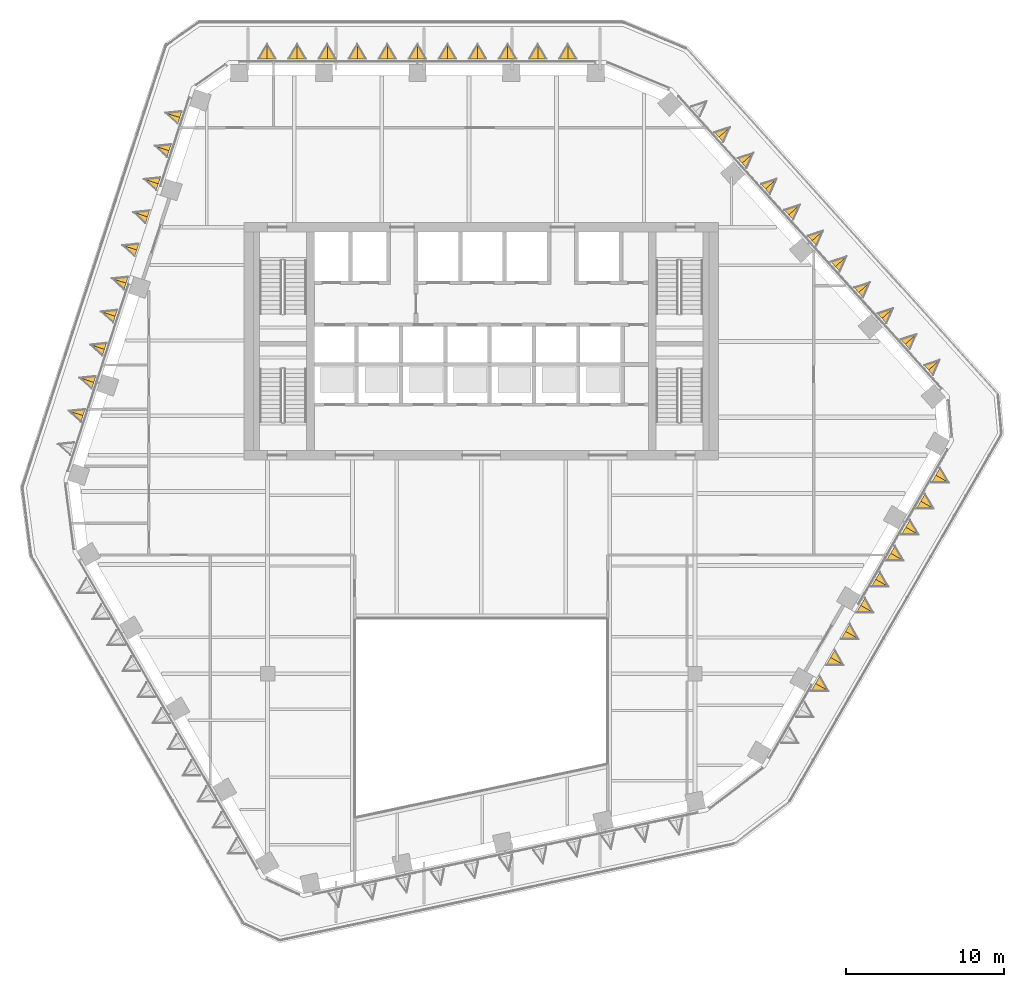
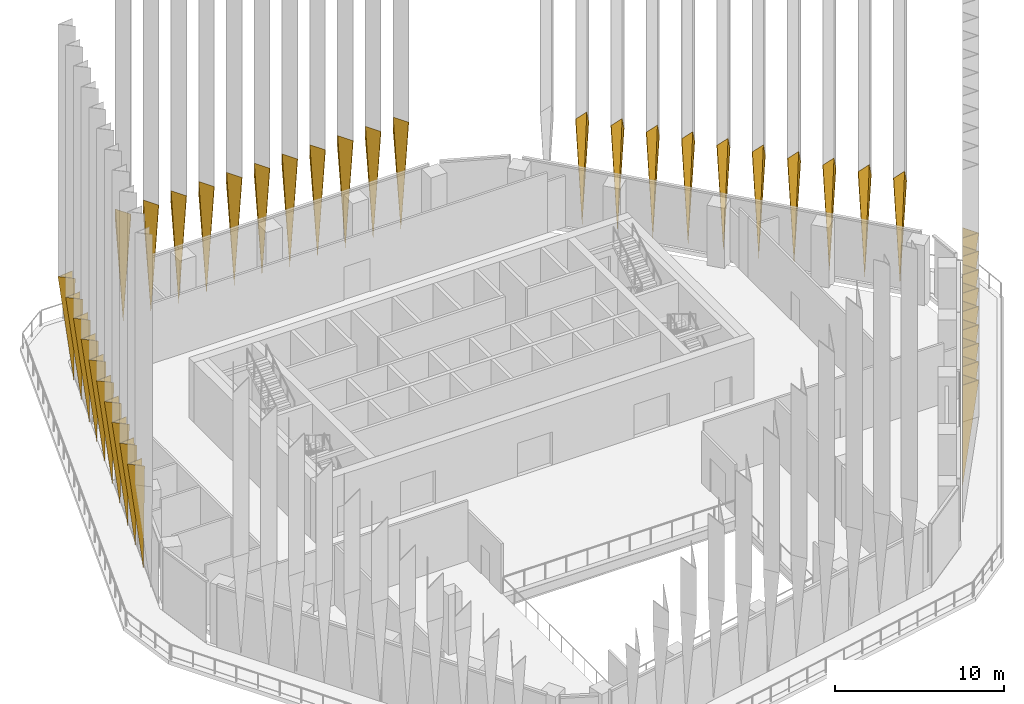
# One storey, part 19 of 21: 40 coverings.
"""IFC4 building model written with IfcOpenShell, lengths in metres."""

import ifcopenshell
import ifcopenshell.guid

model = None  # the IFC model being written
_history = None  # IfcOwnerHistory: only IFC2X3 demands one
_inside = {}  # id of a spatial element -> (the spatial element, [elements in it])
_under = {}  # id of a project, library or spatial element -> (it, [spatial elements below it])
_declared = {}  # id of a project -> (the project, [libraries it declares])
_typed = {}  # id of a type object -> (the type object, [elements of that type])
_made_of = {}  # id of a material, layer set ... -> (it, [elements and type objects made of it])


def new_model(schema):
    """Start an empty IFC model of exactly this schema.

    Asked for "IFC4X3", IfcOpenShell would pick the latest addendum, in which some entities
    have other attributes; the version numbers below select the first issue.
    IFC2X3 requires an IfcOwnerHistory on every rooted entity: one is made here for all.
    """
    global model, _history
    if schema == "IFC4X3":
        model = ifcopenshell.file(schema_version=(4, 3, 0, 0))
    else:
        model = ifcopenshell.file(schema=schema)
    _inside.clear()
    _under.clear()
    _declared.clear()
    _typed.clear()
    _made_of.clear()
    _history = None
    if model.schema == "IFC2X3":
        org = make("IfcOrganization", Name="unknown")
        user = make(
            "IfcPersonAndOrganization",
            ThePerson=make("IfcPerson", FamilyName="unknown"),
            TheOrganization=org,
        )
        app = make(
            "IfcApplication",
            ApplicationDeveloper=org,
            Version="unknown",
            ApplicationFullName="unknown",
            ApplicationIdentifier="unknown",
        )
        _history = make(
            "IfcOwnerHistory",
            OwningUser=user,
            OwningApplication=app,
            ChangeAction="ADDED",
            CreationDate=0,
        )
    return model


def make(cls, **values):
    """One entity of the class cls with the attributes given. An attribute that is None is left unset."""
    return model.create_entity(
        cls, **{name: value for name, value in values.items() if value is not None}
    )


def rooted(cls, **values):
    """An entity with a GlobalId (a new one), such as an element, a storey or a relation."""
    return make(cls, GlobalId=ifcopenshell.guid.new(), OwnerHistory=_history, **values)


def si_unit(unit_type, name, prefix=None):
    """IfcSIUnit, for example si_unit("LENGTHUNIT", "METRE", prefix="MILLI")."""
    return make("IfcSIUnit", UnitType=unit_type, Prefix=prefix, Name=name)


def assignment(units):
    """IfcUnitAssignment: the units of a project."""
    return None if units is None else make("IfcUnitAssignment", Units=units)


def point(xyz):
    """IfcCartesianPoint."""
    return None if xyz is None else make("IfcCartesianPoint", Coordinates=xyz)


def direction(xyz):
    """IfcDirection."""
    return None if xyz is None else make("IfcDirection", DirectionRatios=xyz)


def frame(location, z_axis=None, x_axis=None):
    """IfcAxis2Placement3D, a coordinate frame: its origin and axes. An axis left out is left unset."""
    return make(
        "IfcAxis2Placement3D",
        Location=point(location),
        Axis=direction(z_axis),
        RefDirection=direction(x_axis),
    )


def origin():
    """The frame at (0, 0, 0) with its axes left unset."""
    return frame((0.0, 0.0, 0.0))


def place(relative_to, where):
    """IfcLocalPlacement: puts the frame where relative to a parent placement (None: the world)."""
    return make(
        "IfcLocalPlacement", PlacementRelTo=relative_to, RelativePlacement=where
    )


def context(
    kind, dimensions, precision=None, world=None, true_north=None, identifier=None
):
    """IfcGeometricRepresentationContext, for example the 3D "Model" context."""
    return make(
        "IfcGeometricRepresentationContext",
        ContextIdentifier=identifier,
        ContextType=kind,
        CoordinateSpaceDimension=dimensions,
        Precision=precision,
        WorldCoordinateSystem=world,
        TrueNorth=true_north,
    )


def subcontext(parent, identifier, kind, view, scale=None):
    """IfcGeometricRepresentationSubContext, for example "Body" below "Model"."""
    return make(
        "IfcGeometricRepresentationSubContext",
        ContextIdentifier=identifier,
        ContextType=kind,
        ParentContext=parent,
        TargetScale=scale,
        TargetView=view,
    )


def project(units=None, contexts=None):
    """IfcProject with its units and contexts."""
    return rooted(
        "IfcProject",
        Name="project",
        RepresentationContexts=contexts,
        UnitsInContext=assignment(units),
    )


def spatial(cls, under=None, at=None, **own):
    """A site, building, storey or space (cls), placed at a placement, below another one or the project."""
    s = rooted(cls, ObjectPlacement=at, **own)
    if under is not None:
        _under.setdefault(under.id(), (under, []))[1].append(s)
    return s


def polyline(points):
    """IfcPolyline through the points."""
    return make("IfcPolyline", Points=[point(p) for p in points])


def outline(outer, holes=None, kind="AREA"):
    """IfcArbitraryClosedProfileDef: a profile drawn as a closed curve; with holes, ...WithVoids."""
    if holes is None:
        return make("IfcArbitraryClosedProfileDef", ProfileType=kind, OuterCurve=outer)
    return make(
        "IfcArbitraryProfileDefWithVoids",
        ProfileType=kind,
        OuterCurve=outer,
        InnerCurves=holes,
    )


def faces_of(points, faces, orient=None, outer=None):
    """IfcFace entities. A face is a list of loops; a loop is a list of indices into points, from 0.

    orient and outer hold one flag for each loop. By default every Orientation is true, the
    first loop of a face is its IfcFaceOuterBound and the others are IfcFaceBound.
    """
    made = []
    for i, loops in enumerate(faces):
        bounds = []
        for j, loop in enumerate(loops):
            is_outer = j == 0 if outer is None else outer[i][j]
            bounds.append(
                make(
                    "IfcFaceOuterBound" if is_outer else "IfcFaceBound",
                    Bound=make("IfcPolyLoop", Polygon=[points[k] for k in loop]),
                    Orientation=True if orient is None else orient[i][j],
                )
            )
        made.append(make("IfcFace", Bounds=bounds))
    return made


def faceted_brep(points, faces, orient=None, outer=None, voids=None):
    """IfcFacetedBrep: a solid bounded by flat faces; with voids (closed shells), ...WithVoids."""
    shared = [point(p) for p in points]
    hull = make("IfcClosedShell", CfsFaces=faces_of(shared, faces, orient, outer))
    if voids is None:
        return make("IfcFacetedBrep", Outer=hull)
    return make(
        "IfcFacetedBrepWithVoids",
        Outer=hull,
        Voids=[
            make(cls, CfsFaces=faces_of(shared, fs, o, b)) for cls, fs, o, b in voids
        ],
    )


def shape(context_of_items, identifier, shape_type, items):
    """IfcShapeRepresentation: the items that make up one representation, for example the "Body"."""
    return make(
        "IfcShapeRepresentation",
        ContextOfItems=context_of_items,
        RepresentationIdentifier=identifier,
        RepresentationType=shape_type,
        Items=items,
    )


def material(Name=None, Category=None):
    """IfcMaterial."""
    return make("IfcMaterial", Name=Name, Category=Category)


def material_profile(
    of_material, cross_section, Name=None, Category=None, Priority=None
):
    """IfcMaterialProfile: a cross section and its material."""
    return make(
        "IfcMaterialProfile",
        Name=Name,
        Material=of_material,
        Profile=cross_section,
        Priority=Priority,
        Category=Category,
    )


def profile_set(profiles, Name=None, composite=None):
    """IfcMaterialProfileSet."""
    return make(
        "IfcMaterialProfileSet",
        Name=Name,
        MaterialProfiles=profiles,
        CompositeProfile=composite,
    )


def made_of(thing, what):
    """Note that an element or type object is made of a material, layer set ...; save() writes the relation."""
    if what is not None:
        _made_of.setdefault(what.id(), (what, []))[1].append(thing)
    return thing


def type_object(cls, material=None, **own):
    """A type object (cls), such as IfcWallType, which elements share."""
    return made_of(rooted(cls, **own), material)


def element(
    cls,
    number,
    at=None,
    inside=None,
    cuts=None,
    type_object=None,
    material=None,
    context=None,
    identifier="Body",
    shape_type=None,
    held_by="IfcProductDefinitionShape",
    body=None,
    shapes=None,
    **own,
):
    """One element of the class cls, such as IfcWall. Its Tag is "e" and its number.

    at: its placement. inside: the storey or other place that contains it. cuts: it is an
    opening in that element (IfcRelVoidsElement). A single representation is given by context,
    identifier, shape_type and body (its items); several are given by shapes. held_by: the class
    of the entity that holds the representations. save() writes the other relations.
    """
    e = rooted(cls, Tag="e%d" % number, ObjectPlacement=at, **own)
    if body is not None:
        shapes = [shape(context, identifier, shape_type, body)]
    if shapes is not None:
        e.Representation = make(held_by, Representations=shapes)
    if inside is not None:
        _inside.setdefault(inside.id(), (inside, []))[1].append(e)
    if cuts is not None:
        rooted(
            "IfcRelVoidsElement", RelatingBuildingElement=cuts, RelatedOpeningElement=e
        )
    if type_object is not None:
        _typed.setdefault(type_object.id(), (type_object, []))[1].append(e)
    return made_of(e, material)


def aggregate(whole, parts):
    """IfcRelAggregates: a whole, such as a stair, and the parts it consists of."""
    return rooted("IfcRelAggregates", RelatingObject=whole, RelatedObjects=parts)


def save(model, path):
    """Write the relations noted so far, then the file.

    IfcRelAggregates (storeys below a building ...), IfcRelContainedInSpatialStructure (elements
    in a storey), IfcRelDefinesByType, IfcRelAssociatesMaterial and IfcRelDeclares: one each for
    every whole, place, type object, material and project.
    """
    for whole, parts in _under.values():
        aggregate(whole, parts)
    for where, things in _inside.values():
        rooted(
            "IfcRelContainedInSpatialStructure",
            RelatedElements=things,
            RelatingStructure=where,
        )
    for kind, things in _typed.values():
        rooted("IfcRelDefinesByType", RelatedObjects=things, RelatingType=kind)
    for what, things in _made_of.values():
        rooted("IfcRelAssociatesMaterial", RelatedObjects=things, RelatingMaterial=what)
    for by, libraries in _declared.values():
        rooted("IfcRelDeclares", RelatingContext=by, RelatedDefinitions=libraries)
    model.write(path)


model = new_model("IFC4")

# Units and contexts
model_context = context("Model", 3, precision=1e-05, world=origin(), true_north=direction((0.0, 1.0)))
body_context = subcontext(model_context, "Body", "Model", "MODEL_VIEW")
ifc_project = project(units=[si_unit("LENGTHUNIT", "METRE"), si_unit("AREAUNIT", "SQUARE_METRE"), si_unit("VOLUMEUNIT", "CUBIC_METRE"), si_unit("PLANEANGLEUNIT", "RADIAN"), si_unit("MASSUNIT", "GRAM", prefix="KILO")], contexts=[model_context])

# Site, building, storey
site_placement = place(None, origin())
site = spatial("IfcSite", under=ifc_project, at=site_placement, CompositionType="ELEMENT")
building_placement = place(site_placement, origin())
building = spatial("IfcBuilding", under=site, at=building_placement, Name="Isthmus Gate Tower", CompositionType="ELEMENT")
storey_placement = place(building_placement, frame((0.0, 0.0, 211.800048828125)))
storey = spatial("IfcBuildingStorey", under=building, at=storey_placement, Name="L53", CompositionType="ELEMENT", Elevation=211.800048828125)

# Coverings
ifc_material_1 = material(Name="Structural steel ASTM A572 Gr 50, white paint system", Category="steel")
ifc_material_profile_1 = material_profile(ifc_material_1, outline(polyline([(0.0, -0.427490234375), (0.9599609375, 0.0), (0.0, 0.427490234375), (0.0, 0.39453125), (0.88623046875, 0.0), (0.0, -0.39453125), (0.0, -0.427490234375)])), Name="V960")
ifc_profile_set_1 = profile_set([ifc_material_profile_1], Name="Structural steel ASTM A572 Gr 50, white paint system")
covering_type_1 = type_object("IfcCoveringType", Name="FIN V 960 DEEP FOOT", PredefinedType="CLADDING", material=ifc_profile_set_1)
covering_1_placement = place(storey_placement, frame((0.0, 0.0, -211.800048828125)))
element("IfcCovering", 1, at=covering_1_placement, inside=storey, type_object=covering_type_1, Name="FIN", ObjectType="FIN", PredefinedType="CLADDING", context=body_context, shape_type="Brep", body=[
    faceted_brep([(-18.91796875, 22.04296875, 219.550048828125), (-19.963134765625, 21.93310546875, 219.550048828125), (-19.18212890625, 21.22998046875, 219.550048828125), (-19.171875, 21.26123046875, 219.550048828125), (-19.892822265625, 21.910400390625, 219.550048828125), (-18.92822265625, 22.01171875, 219.550048828125), (-19.050048828125, 21.636474609375, 211.89990234375)], [[[0, 1, 2, 3, 4, 5]], [[1, 0, 6]], [[2, 1, 6]], [[3, 2, 6]], [[4, 3, 6]], [[5, 4, 6]], [[0, 5, 6]]]),
])
covering_2_placement = place(storey_placement, frame((0.0, 0.0, -211.800048828125)))
element("IfcCovering", 2, at=covering_2_placement, inside=storey, type_object=covering_type_1, Name="FIN", ObjectType="FIN", PredefinedType="CLADDING", context=body_context, shape_type="Brep", body=[
    faceted_brep([(-19.597900390625, 19.95068359375, 219.550048828125), (-20.64306640625, 19.8408203125, 219.550048828125), (-19.862060546875, 19.1376953125, 219.550048828125), (-19.851806640625, 19.1689453125, 219.550048828125), (-20.57275390625, 19.818115234375, 219.550048828125), (-19.608154296875, 19.91943359375, 219.550048828125), (-19.72998046875, 19.544189453125, 211.89990234375)], [[[0, 1, 2, 3, 4, 5]], [[1, 0, 6]], [[2, 1, 6]], [[3, 2, 6]], [[4, 3, 6]], [[5, 4, 6]], [[0, 5, 6]]]),
])
covering_3_placement = place(storey_placement, frame((0.0, 0.0, -211.800048828125)))
element("IfcCovering", 3, at=covering_3_placement, inside=storey, type_object=covering_type_1, Name="FIN", ObjectType="FIN", PredefinedType="CLADDING", context=body_context, shape_type="Brep", body=[
    faceted_brep([(-20.277587890625, 17.858154296875, 219.550048828125), (-21.32275390625, 17.748291015625, 219.550048828125), (-20.541748046875, 17.045166015625, 219.550048828125), (-20.531494140625, 17.076416015625, 219.550048828125), (-21.25244140625, 17.7255859375, 219.550048828125), (-20.287841796875, 17.826904296875, 219.550048828125), (-20.40966796875, 17.45166015625, 211.89990234375)], [[[0, 1, 2, 3, 4, 5]], [[1, 0, 6]], [[2, 1, 6]], [[3, 2, 6]], [[4, 3, 6]], [[5, 4, 6]], [[0, 5, 6]]]),
])
covering_4_placement = place(storey_placement, frame((0.0, 0.0, -211.800048828125)))
element("IfcCovering", 4, at=covering_4_placement, inside=storey, type_object=covering_type_1, Name="FIN", ObjectType="FIN", PredefinedType="CLADDING", context=body_context, shape_type="Brep", body=[
    faceted_brep([(-20.95751953125, 15.765869140625, 219.550048828125), (-22.002685546875, 15.656005859375, 219.550048828125), (-21.2216796875, 14.952880859375, 219.550048828125), (-21.21142578125, 14.984130859375, 219.550048828125), (-21.932373046875, 15.63330078125, 219.550048828125), (-20.9677734375, 15.734619140625, 219.550048828125), (-21.089599609375, 15.359375, 211.89990234375)], [[[0, 1, 2, 3, 4, 5]], [[1, 0, 6]], [[2, 1, 6]], [[3, 2, 6]], [[4, 3, 6]], [[5, 4, 6]], [[0, 5, 6]]]),
])
covering_5_placement = place(storey_placement, frame((0.0, 0.0, -211.800048828125)))
element("IfcCovering", 5, at=covering_5_placement, inside=storey, type_object=covering_type_1, Name="FIN", ObjectType="FIN", PredefinedType="CLADDING", context=body_context, shape_type="Brep", body=[
    faceted_brep([(-21.63720703125, 13.673583984375, 219.550048828125), (-22.682373046875, 13.563720703125, 219.550048828125), (-21.9013671875, 12.860595703125, 219.550048828125), (-21.89111328125, 12.891845703125, 219.550048828125), (-22.612060546875, 13.541015625, 219.550048828125), (-21.6474609375, 13.642333984375, 219.550048828125), (-21.769287109375, 13.26708984375, 211.89990234375)], [[[0, 1, 2, 3, 4, 5]], [[1, 0, 6]], [[2, 1, 6]], [[3, 2, 6]], [[4, 3, 6]], [[5, 4, 6]], [[0, 5, 6]]]),
])
covering_6_placement = place(storey_placement, frame((0.0, 0.0, -211.800048828125)))
element("IfcCovering", 6, at=covering_6_placement, inside=storey, type_object=covering_type_1, Name="FIN", ObjectType="FIN", PredefinedType="CLADDING", context=body_context, shape_type="Brep", body=[
    faceted_brep([(-22.317138671875, 11.581298828125, 219.550048828125), (-23.3623046875, 11.471435546875, 219.550048828125), (-22.581298828125, 10.768310546875, 219.550048828125), (-22.571044921875, 10.799560546875, 219.550048828125), (-23.2919921875, 11.44873046875, 219.550048828125), (-22.327392578125, 11.550048828125, 219.550048828125), (-22.44921875, 11.1748046875, 211.89990234375)], [[[0, 1, 2, 3, 4, 5]], [[1, 0, 6]], [[2, 1, 6]], [[3, 2, 6]], [[4, 3, 6]], [[5, 4, 6]], [[0, 5, 6]]]),
])
covering_7_placement = place(storey_placement, frame((0.0, 0.0, -211.800048828125)))
element("IfcCovering", 7, at=covering_7_placement, inside=storey, type_object=covering_type_1, Name="FIN", ObjectType="FIN", PredefinedType="CLADDING", context=body_context, shape_type="Brep", body=[
    faceted_brep([(-22.9970703125, 9.489013671875, 219.550048828125), (-24.042236328125, 9.379150390625, 219.550048828125), (-23.26123046875, 8.676025390625, 219.550048828125), (-23.2509765625, 8.707275390625, 219.550048828125), (-23.971923828125, 9.3564453125, 219.550048828125), (-23.00732421875, 9.457763671875, 219.550048828125), (-23.129150390625, 9.08251953125, 211.89990234375)], [[[0, 1, 2, 3, 4, 5]], [[1, 0, 6]], [[2, 1, 6]], [[3, 2, 6]], [[4, 3, 6]], [[5, 4, 6]], [[0, 5, 6]]]),
])
covering_8_placement = place(storey_placement, frame((0.0, 0.0, -211.800048828125)))
element("IfcCovering", 8, at=covering_8_placement, inside=storey, type_object=covering_type_1, Name="FIN", ObjectType="FIN", PredefinedType="CLADDING", context=body_context, shape_type="Brep", body=[
    faceted_brep([(-23.6767578125, 7.396728515625, 219.550048828125), (-24.721923828125, 7.286865234375, 219.550048828125), (-23.94091796875, 6.583740234375, 219.550048828125), (-23.9306640625, 6.614990234375, 219.550048828125), (-24.651611328125, 7.26416015625, 219.550048828125), (-23.68701171875, 7.365478515625, 219.550048828125), (-23.808837890625, 6.990234375, 211.89990234375)], [[[0, 1, 2, 3, 4, 5]], [[1, 0, 6]], [[2, 1, 6]], [[3, 2, 6]], [[4, 3, 6]], [[5, 4, 6]], [[0, 5, 6]]]),
])
covering_9_placement = place(storey_placement, frame((0.0, 0.0, -211.800048828125)))
element("IfcCovering", 9, at=covering_9_placement, inside=storey, type_object=covering_type_1, Name="FIN", ObjectType="FIN", PredefinedType="CLADDING", context=body_context, shape_type="Brep", body=[
    faceted_brep([(-24.356689453125, 5.304443359375, 219.550048828125), (-25.40185546875, 5.194580078125, 219.550048828125), (-24.620849609375, 4.491455078125, 219.550048828125), (-24.610595703125, 4.522705078125, 219.550048828125), (-25.33154296875, 5.171875, 219.550048828125), (-24.366943359375, 5.273193359375, 219.550048828125), (-24.48876953125, 4.89794921875, 211.89990234375)], [[[0, 1, 2, 3, 4, 5]], [[1, 0, 6]], [[2, 1, 6]], [[3, 2, 6]], [[4, 3, 6]], [[5, 4, 6]], [[0, 5, 6]]]),
])
covering_10_placement = place(storey_placement, frame((0.0, 0.0, -211.800048828125)))
element("IfcCovering", 10, at=covering_10_placement, inside=storey, type_object=covering_type_1, Name="FIN", ObjectType="FIN", PredefinedType="CLADDING", context=body_context, shape_type="Brep", body=[
    faceted_brep([(-25.036376953125, 3.2119140625, 219.550048828125), (-26.08154296875, 3.10205078125, 219.550048828125), (-25.300537109375, 2.39892578125, 219.550048828125), (-25.290283203125, 2.43017578125, 219.550048828125), (-26.01123046875, 3.079345703125, 219.550048828125), (-25.046630859375, 3.1806640625, 219.550048828125), (-25.16845703125, 2.805419921875, 211.89990234375)], [[[0, 1, 2, 3, 4, 5]], [[1, 0, 6]], [[2, 1, 6]], [[3, 2, 6]], [[4, 3, 6]], [[5, 4, 6]], [[0, 5, 6]]]),
])
covering_11_placement = place(storey_placement, frame((0.0, 0.0, -211.800048828125)))
element("IfcCovering", 11, at=covering_11_placement, inside=storey, type_object=covering_type_1, Name="FIN", ObjectType="FIN", PredefinedType="CLADDING", context=body_context, shape_type="Brep", body=[
    faceted_brep([(28.548583984375, 5.362060546875, 219.550048828125), (28.97607421875, 6.322021484375, 219.550048828125), (27.976806640625, 5.997314453125, 219.550048828125), (27.998779296875, 5.972900390625, 219.550048828125), (28.92138671875, 6.272705078125, 219.550048828125), (28.526611328125, 5.386474609375, 219.550048828125), (28.2626953125, 5.6796875, 211.89990234375)], [[[0, 1, 2, 3, 4, 5]], [[1, 0, 6]], [[2, 1, 6]], [[3, 2, 6]], [[4, 3, 6]], [[5, 4, 6]], [[0, 5, 6]]]),
])
covering_12_placement = place(storey_placement, frame((0.0, 0.0, -211.800048828125)))
element("IfcCovering", 12, at=covering_12_placement, inside=storey, type_object=covering_type_1, Name="FIN", ObjectType="FIN", PredefinedType="CLADDING", context=body_context, shape_type="Brep", body=[
    faceted_brep([(27.076416015625, 6.996826171875, 219.550048828125), (27.50390625, 7.956787109375, 219.550048828125), (26.504638671875, 7.632080078125, 219.550048828125), (26.526611328125, 7.607666015625, 219.550048828125), (27.44921875, 7.907470703125, 219.550048828125), (27.054443359375, 7.021240234375, 219.550048828125), (26.79052734375, 7.314453125, 211.89990234375)], [[[0, 1, 2, 3, 4, 5]], [[1, 0, 6]], [[2, 1, 6]], [[3, 2, 6]], [[4, 3, 6]], [[5, 4, 6]], [[0, 5, 6]]]),
])
covering_13_placement = place(storey_placement, frame((0.0, 0.0, -211.800048828125)))
element("IfcCovering", 13, at=covering_13_placement, inside=storey, type_object=covering_type_1, Name="FIN", ObjectType="FIN", PredefinedType="CLADDING", context=body_context, shape_type="Brep", body=[
    faceted_brep([(25.6044921875, 8.6318359375, 219.550048828125), (26.031982421875, 9.591796875, 219.550048828125), (25.03271484375, 9.26708984375, 219.550048828125), (25.0546875, 9.24267578125, 219.550048828125), (25.977294921875, 9.54248046875, 219.550048828125), (25.58251953125, 8.65625, 219.550048828125), (25.318603515625, 8.949462890625, 211.89990234375)], [[[0, 1, 2, 3, 4, 5]], [[1, 0, 6]], [[2, 1, 6]], [[3, 2, 6]], [[4, 3, 6]], [[5, 4, 6]], [[0, 5, 6]]]),
])
covering_14_placement = place(storey_placement, frame((0.0, 0.0, -211.800048828125)))
element("IfcCovering", 14, at=covering_14_placement, inside=storey, type_object=covering_type_1, Name="FIN", ObjectType="FIN", PredefinedType="CLADDING", context=body_context, shape_type="Brep", body=[
    faceted_brep([(24.13232421875, 10.266845703125, 219.550048828125), (24.559814453125, 11.226806640625, 219.550048828125), (23.560546875, 10.902099609375, 219.550048828125), (23.58251953125, 10.877685546875, 219.550048828125), (24.505126953125, 11.177490234375, 219.550048828125), (24.1103515625, 10.291259765625, 219.550048828125), (23.846435546875, 10.58447265625, 211.89990234375)], [[[0, 1, 2, 3, 4, 5]], [[1, 0, 6]], [[2, 1, 6]], [[3, 2, 6]], [[4, 3, 6]], [[5, 4, 6]], [[0, 5, 6]]]),
])
covering_15_placement = place(storey_placement, frame((0.0, 0.0, -211.800048828125)))
element("IfcCovering", 15, at=covering_15_placement, inside=storey, type_object=covering_type_1, Name="FIN", ObjectType="FIN", PredefinedType="CLADDING", context=body_context, shape_type="Brep", body=[
    faceted_brep([(22.66015625, 11.901611328125, 219.550048828125), (23.087646484375, 12.861572265625, 219.550048828125), (22.08837890625, 12.536865234375, 219.550048828125), (22.1103515625, 12.512451171875, 219.550048828125), (23.032958984375, 12.812255859375, 219.550048828125), (22.63818359375, 11.926025390625, 219.550048828125), (22.374267578125, 12.21923828125, 211.89990234375)], [[[0, 1, 2, 3, 4, 5]], [[1, 0, 6]], [[2, 1, 6]], [[3, 2, 6]], [[4, 3, 6]], [[5, 4, 6]], [[0, 5, 6]]]),
])
covering_16_placement = place(storey_placement, frame((0.0, 0.0, -211.800048828125)))
element("IfcCovering", 16, at=covering_16_placement, inside=storey, type_object=covering_type_1, Name="FIN", ObjectType="FIN", PredefinedType="CLADDING", context=body_context, shape_type="Brep", body=[
    faceted_brep([(21.188232421875, 13.53662109375, 219.550048828125), (21.61572265625, 14.49658203125, 219.550048828125), (20.616455078125, 14.171875, 219.550048828125), (20.638427734375, 14.1474609375, 219.550048828125), (21.56103515625, 14.447265625, 219.550048828125), (21.166259765625, 13.56103515625, 219.550048828125), (20.90234375, 13.854248046875, 211.89990234375)], [[[0, 1, 2, 3, 4, 5]], [[1, 0, 6]], [[2, 1, 6]], [[3, 2, 6]], [[4, 3, 6]], [[5, 4, 6]], [[0, 5, 6]]]),
])
covering_17_placement = place(storey_placement, frame((0.0, 0.0, -211.800048828125)))
element("IfcCovering", 17, at=covering_17_placement, inside=storey, type_object=covering_type_1, Name="FIN", ObjectType="FIN", PredefinedType="CLADDING", context=body_context, shape_type="Brep", body=[
    faceted_brep([(19.716064453125, 15.17138671875, 219.550048828125), (20.1435546875, 16.13134765625, 219.550048828125), (19.144287109375, 15.806640625, 219.550048828125), (19.166259765625, 15.7822265625, 219.550048828125), (20.0888671875, 16.08203125, 219.550048828125), (19.694091796875, 15.19580078125, 219.550048828125), (19.43017578125, 15.489013671875, 211.89990234375)], [[[0, 1, 2, 3, 4, 5]], [[1, 0, 6]], [[2, 1, 6]], [[3, 2, 6]], [[4, 3, 6]], [[5, 4, 6]], [[0, 5, 6]]]),
])
covering_18_placement = place(storey_placement, frame((0.0, 0.0, -211.800048828125)))
element("IfcCovering", 18, at=covering_18_placement, inside=storey, type_object=covering_type_1, Name="FIN", ObjectType="FIN", PredefinedType="CLADDING", context=body_context, shape_type="Brep", body=[
    faceted_brep([(18.243896484375, 16.806396484375, 219.550048828125), (18.67138671875, 17.766357421875, 219.550048828125), (17.672119140625, 17.441650390625, 219.550048828125), (17.694091796875, 17.417236328125, 219.550048828125), (18.61669921875, 17.717041015625, 219.550048828125), (18.221923828125, 16.830810546875, 219.550048828125), (17.9580078125, 17.1240234375, 211.89990234375)], [[[0, 1, 2, 3, 4, 5]], [[1, 0, 6]], [[2, 1, 6]], [[3, 2, 6]], [[4, 3, 6]], [[5, 4, 6]], [[0, 5, 6]]]),
])
covering_19_placement = place(storey_placement, frame((0.0, 0.0, -211.800048828125)))
element("IfcCovering", 19, at=covering_19_placement, inside=storey, type_object=covering_type_1, Name="FIN", ObjectType="FIN", PredefinedType="CLADDING", context=body_context, shape_type="Brep", body=[
    faceted_brep([(16.77197265625, 18.44140625, 219.550048828125), (17.199462890625, 19.4013671875, 219.550048828125), (16.2001953125, 19.07666015625, 219.550048828125), (16.22216796875, 19.05224609375, 219.550048828125), (17.144775390625, 19.35205078125, 219.550048828125), (16.75, 18.4658203125, 219.550048828125), (16.486083984375, 18.759033203125, 211.89990234375)], [[[0, 1, 2, 3, 4, 5]], [[1, 0, 6]], [[2, 1, 6]], [[3, 2, 6]], [[4, 3, 6]], [[5, 4, 6]], [[0, 5, 6]]]),
])
covering_20_placement = place(storey_placement, frame((0.0, 0.0, -211.800048828125)))
element("IfcCovering", 20, at=covering_20_placement, inside=storey, type_object=covering_type_1, Name="FIN", ObjectType="FIN", PredefinedType="CLADDING", context=body_context, shape_type="Brep", body=[
    faceted_brep([(15.2998046875, 20.076171875, 219.550048828125), (15.727294921875, 21.0361328125, 219.550048828125), (14.72802734375, 20.71142578125, 219.550048828125), (14.75, 20.68701171875, 219.550048828125), (15.672607421875, 20.98681640625, 219.550048828125), (15.27783203125, 20.1005859375, 219.550048828125), (15.013916015625, 20.393798828125, 211.89990234375)], [[[0, 1, 2, 3, 4, 5]], [[1, 0, 6]], [[2, 1, 6]], [[3, 2, 6]], [[4, 3, 6]], [[5, 4, 6]], [[0, 5, 6]]]),
])
ifc_material_2 = material(Name="Structural steel ASTM A572 Gr 50, white paint system", Category="steel")
ifc_material_profile_2 = material_profile(ifc_material_2, outline(polyline([(0.0, -0.55419921875), (0.9599609375, 0.0), (0.0, 0.55419921875), (0.0, 0.51953125), (0.89990234375, 0.0), (0.0, -0.51953125), (0.0, -0.55419921875)])), Name="V960W")
ifc_profile_set_2 = profile_set([ifc_material_profile_2], Name="Structural steel ASTM A572 Gr 50, white paint system")
covering_type_2 = type_object("IfcCoveringType", Name="FIN V 960 DEEP WIDE FOOT", PredefinedType="CLADDING", material=ifc_profile_set_2)
covering_21_placement = place(storey_placement, frame((0.0, 0.0, -211.800048828125)))
element("IfcCovering", 21, at=covering_21_placement, inside=storey, type_object=covering_type_2, Name="FIN", ObjectType="FIN", PredefinedType="CLADDING", context=body_context, shape_type="Brep", body=[
    faceted_brep([(6.024169921875, 25.35009765625, 219.550048828125), (5.469970703125, 26.31005859375, 219.550048828125), (4.915771484375, 25.35009765625, 219.550048828125), (4.950439453125, 25.35009765625, 219.550048828125), (5.469970703125, 26.25, 219.550048828125), (5.989501953125, 25.35009765625, 219.550048828125), (5.469970703125, 25.35009765625, 211.89990234375)], [[[0, 1, 2, 3, 4, 5]], [[1, 0, 6]], [[2, 1, 6]], [[3, 2, 6]], [[4, 3, 6]], [[5, 4, 6]], [[0, 5, 6]]]),
])
covering_22_placement = place(storey_placement, frame((0.0, 0.0, -211.800048828125)))
element("IfcCovering", 22, at=covering_22_placement, inside=storey, type_object=covering_type_2, Name="FIN", ObjectType="FIN", PredefinedType="CLADDING", context=body_context, shape_type="Brep", body=[
    faceted_brep([(4.1240234375, 25.35009765625, 219.550048828125), (3.56982421875, 26.31005859375, 219.550048828125), (3.015625, 25.35009765625, 219.550048828125), (3.05029296875, 25.35009765625, 219.550048828125), (3.56982421875, 26.25, 219.550048828125), (4.08935546875, 25.35009765625, 219.550048828125), (3.56982421875, 25.35009765625, 211.89990234375)], [[[0, 1, 2, 3, 4, 5]], [[1, 0, 6]], [[2, 1, 6]], [[3, 2, 6]], [[4, 3, 6]], [[5, 4, 6]], [[0, 5, 6]]]),
])
covering_23_placement = place(storey_placement, frame((0.0, 0.0, -211.800048828125)))
element("IfcCovering", 23, at=covering_23_placement, inside=storey, type_object=covering_type_2, Name="FIN", ObjectType="FIN", PredefinedType="CLADDING", context=body_context, shape_type="Brep", body=[
    faceted_brep([(2.22412109375, 25.35009765625, 219.550048828125), (1.669921875, 26.31005859375, 219.550048828125), (1.11572265625, 25.35009765625, 219.550048828125), (1.150390625, 25.35009765625, 219.550048828125), (1.669921875, 26.25, 219.550048828125), (2.189453125, 25.35009765625, 219.550048828125), (1.669921875, 25.35009765625, 211.89990234375)], [[[0, 1, 2, 3, 4, 5]], [[1, 0, 6]], [[2, 1, 6]], [[3, 2, 6]], [[4, 3, 6]], [[5, 4, 6]], [[0, 5, 6]]]),
])
covering_24_placement = place(storey_placement, frame((0.0, 0.0, -211.800048828125)))
element("IfcCovering", 24, at=covering_24_placement, inside=storey, type_object=covering_type_2, Name="FIN", ObjectType="FIN", PredefinedType="CLADDING", context=body_context, shape_type="Brep", body=[
    faceted_brep([(0.32421875, 25.35009765625, 219.550048828125), (-0.22998046875, 26.31005859375, 219.550048828125), (-0.7841796875, 25.35009765625, 219.550048828125), (-0.74951171875, 25.35009765625, 219.550048828125), (-0.22998046875, 26.25, 219.550048828125), (0.28955078125, 25.35009765625, 219.550048828125), (-0.22998046875, 25.35009765625, 211.89990234375)], [[[0, 1, 2, 3, 4, 5]], [[1, 0, 6]], [[2, 1, 6]], [[3, 2, 6]], [[4, 3, 6]], [[5, 4, 6]], [[0, 5, 6]]]),
])
covering_25_placement = place(storey_placement, frame((0.0, 0.0, -211.800048828125)))
element("IfcCovering", 25, at=covering_25_placement, inside=storey, type_object=covering_type_2, Name="FIN", ObjectType="FIN", PredefinedType="CLADDING", context=body_context, shape_type="Brep", body=[
    faceted_brep([(-1.575927734375, 25.35009765625, 219.550048828125), (-2.130126953125, 26.31005859375, 219.550048828125), (-2.684326171875, 25.35009765625, 219.550048828125), (-2.649658203125, 25.35009765625, 219.550048828125), (-2.130126953125, 26.25, 219.550048828125), (-1.610595703125, 25.35009765625, 219.550048828125), (-2.130126953125, 25.35009765625, 211.89990234375)], [[[0, 1, 2, 3, 4, 5]], [[1, 0, 6]], [[2, 1, 6]], [[3, 2, 6]], [[4, 3, 6]], [[5, 4, 6]], [[0, 5, 6]]]),
])
covering_26_placement = place(storey_placement, frame((0.0, 0.0, -211.800048828125)))
element("IfcCovering", 26, at=covering_26_placement, inside=storey, type_object=covering_type_2, Name="FIN", ObjectType="FIN", PredefinedType="CLADDING", context=body_context, shape_type="Brep", body=[
    faceted_brep([(-3.475830078125, 25.35009765625, 219.550048828125), (-4.030029296875, 26.31005859375, 219.550048828125), (-4.584228515625, 25.35009765625, 219.550048828125), (-4.549560546875, 25.35009765625, 219.550048828125), (-4.030029296875, 26.25, 219.550048828125), (-3.510498046875, 25.35009765625, 219.550048828125), (-4.030029296875, 25.35009765625, 211.89990234375)], [[[0, 1, 2, 3, 4, 5]], [[1, 0, 6]], [[2, 1, 6]], [[3, 2, 6]], [[4, 3, 6]], [[5, 4, 6]], [[0, 5, 6]]]),
])
covering_27_placement = place(storey_placement, frame((0.0, 0.0, -211.800048828125)))
element("IfcCovering", 27, at=covering_27_placement, inside=storey, type_object=covering_type_2, Name="FIN", ObjectType="FIN", PredefinedType="CLADDING", context=body_context, shape_type="Brep", body=[
    faceted_brep([(-5.3759765625, 25.35009765625, 219.550048828125), (-5.93017578125, 26.31005859375, 219.550048828125), (-6.484375, 25.35009765625, 219.550048828125), (-6.44970703125, 25.35009765625, 219.550048828125), (-5.93017578125, 26.25, 219.550048828125), (-5.41064453125, 25.35009765625, 219.550048828125), (-5.93017578125, 25.35009765625, 211.89990234375)], [[[0, 1, 2, 3, 4, 5]], [[1, 0, 6]], [[2, 1, 6]], [[3, 2, 6]], [[4, 3, 6]], [[5, 4, 6]], [[0, 5, 6]]]),
])
covering_28_placement = place(storey_placement, frame((0.0, 0.0, -211.800048828125)))
element("IfcCovering", 28, at=covering_28_placement, inside=storey, type_object=covering_type_2, Name="FIN", ObjectType="FIN", PredefinedType="CLADDING", context=body_context, shape_type="Brep", body=[
    faceted_brep([(-7.27587890625, 25.35009765625, 219.550048828125), (-7.830078125, 26.31005859375, 219.550048828125), (-8.38427734375, 25.35009765625, 219.550048828125), (-8.349609375, 25.35009765625, 219.550048828125), (-7.830078125, 26.25, 219.550048828125), (-7.310546875, 25.35009765625, 219.550048828125), (-7.830078125, 25.35009765625, 211.89990234375)], [[[0, 1, 2, 3, 4, 5]], [[1, 0, 6]], [[2, 1, 6]], [[3, 2, 6]], [[4, 3, 6]], [[5, 4, 6]], [[0, 5, 6]]]),
])
covering_29_placement = place(storey_placement, frame((0.0, 0.0, -211.800048828125)))
element("IfcCovering", 29, at=covering_29_placement, inside=storey, type_object=covering_type_2, Name="FIN", ObjectType="FIN", PredefinedType="CLADDING", context=body_context, shape_type="Brep", body=[
    faceted_brep([(-9.17578125, 25.35009765625, 219.550048828125), (-9.72998046875, 26.31005859375, 219.550048828125), (-10.2841796875, 25.35009765625, 219.550048828125), (-10.24951171875, 25.35009765625, 219.550048828125), (-9.72998046875, 26.25, 219.550048828125), (-9.21044921875, 25.35009765625, 219.550048828125), (-9.72998046875, 25.35009765625, 211.89990234375)], [[[0, 1, 2, 3, 4, 5]], [[1, 0, 6]], [[2, 1, 6]], [[3, 2, 6]], [[4, 3, 6]], [[5, 4, 6]], [[0, 5, 6]]]),
])
covering_30_placement = place(storey_placement, frame((0.0, 0.0, -211.800048828125)))
element("IfcCovering", 30, at=covering_30_placement, inside=storey, type_object=covering_type_2, Name="FIN", ObjectType="FIN", PredefinedType="CLADDING", context=body_context, shape_type="Brep", body=[
    faceted_brep([(-11.075927734375, 25.35009765625, 219.550048828125), (-11.630126953125, 26.31005859375, 219.550048828125), (-12.184326171875, 25.35009765625, 219.550048828125), (-12.149658203125, 25.35009765625, 219.550048828125), (-11.630126953125, 26.25, 219.550048828125), (-11.110595703125, 25.35009765625, 219.550048828125), (-11.630126953125, 25.35009765625, 211.89990234375)], [[[0, 1, 2, 3, 4, 5]], [[1, 0, 6]], [[2, 1, 6]], [[3, 2, 6]], [[4, 3, 6]], [[5, 4, 6]], [[0, 5, 6]]]),
])
covering_31_placement = place(storey_placement, frame((0.0, 0.0, -211.800048828125)))
element("IfcCovering", 31, at=covering_31_placement, inside=storey, type_object=covering_type_2, Name="FIN", ObjectType="FIN", PredefinedType="CLADDING", context=body_context, shape_type="Brep", body=[
    faceted_brep([(-12.975830078125, 25.35009765625, 219.550048828125), (-13.530029296875, 26.31005859375, 219.550048828125), (-14.084228515625, 25.35009765625, 219.550048828125), (-14.049560546875, 25.35009765625, 219.550048828125), (-13.530029296875, 26.25, 219.550048828125), (-13.010498046875, 25.35009765625, 219.550048828125), (-13.530029296875, 25.35009765625, 211.89990234375)], [[[0, 1, 2, 3, 4, 5]], [[1, 0, 6]], [[2, 1, 6]], [[3, 2, 6]], [[4, 3, 6]], [[5, 4, 6]], [[0, 5, 6]]]),
])
covering_32_placement = place(storey_placement, frame((0.0, 0.0, -211.800048828125)))
element("IfcCovering", 32, at=covering_32_placement, inside=storey, type_object=covering_type_2, Name="FIN", ObjectType="FIN", PredefinedType="CLADDING", context=body_context, shape_type="Brep", body=[
    faceted_brep([(20.841796875, -14.60107421875, 219.550048828125), (21.9501953125, -14.60107421875, 219.550048828125), (21.39599609375, -13.64111328125, 219.550048828125), (21.378662109375, -13.671142578125, 219.550048828125), (21.8984375, -14.571044921875, 219.550048828125), (20.859130859375, -14.571044921875, 219.550048828125), (21.118896484375, -14.12109375, 211.89990234375)], [[[0, 1, 2, 3, 4, 5]], [[1, 0, 6]], [[2, 1, 6]], [[3, 2, 6]], [[4, 3, 6]], [[5, 4, 6]], [[0, 5, 6]]]),
])
covering_33_placement = place(storey_placement, frame((0.0, 0.0, -211.800048828125)))
element("IfcCovering", 33, at=covering_33_placement, inside=storey, type_object=covering_type_2, Name="FIN", ObjectType="FIN", PredefinedType="CLADDING", context=body_context, shape_type="Brep", body=[
    faceted_brep([(21.791748046875, -12.955810546875, 219.550048828125), (22.900146484375, -12.955810546875, 219.550048828125), (22.345947265625, -11.995849609375, 219.550048828125), (22.32861328125, -12.02587890625, 219.550048828125), (22.848388671875, -12.92578125, 219.550048828125), (21.80908203125, -12.92578125, 219.550048828125), (22.06884765625, -12.475830078125, 211.89990234375)], [[[0, 1, 2, 3, 4, 5]], [[1, 0, 6]], [[2, 1, 6]], [[3, 2, 6]], [[4, 3, 6]], [[5, 4, 6]], [[0, 5, 6]]]),
])
covering_34_placement = place(storey_placement, frame((0.0, 0.0, -211.800048828125)))
element("IfcCovering", 34, at=covering_34_placement, inside=storey, type_object=covering_type_2, Name="FIN", ObjectType="FIN", PredefinedType="CLADDING", context=body_context, shape_type="Brep", body=[
    faceted_brep([(22.74169921875, -11.310302734375, 219.550048828125), (23.85009765625, -11.310302734375, 219.550048828125), (23.2958984375, -10.350341796875, 219.550048828125), (23.278564453125, -10.38037109375, 219.550048828125), (23.79833984375, -11.2802734375, 219.550048828125), (22.759033203125, -11.2802734375, 219.550048828125), (23.018798828125, -10.830322265625, 211.89990234375)], [[[0, 1, 2, 3, 4, 5]], [[1, 0, 6]], [[2, 1, 6]], [[3, 2, 6]], [[4, 3, 6]], [[5, 4, 6]], [[0, 5, 6]]]),
])
covering_35_placement = place(storey_placement, frame((0.0, 0.0, -211.800048828125)))
element("IfcCovering", 35, at=covering_35_placement, inside=storey, type_object=covering_type_2, Name="FIN", ObjectType="FIN", PredefinedType="CLADDING", context=body_context, shape_type="Brep", body=[
    faceted_brep([(23.691650390625, -9.664794921875, 219.550048828125), (24.800048828125, -9.664794921875, 219.550048828125), (24.245849609375, -8.704833984375, 219.550048828125), (24.228515625, -8.73486328125, 219.550048828125), (24.748291015625, -9.634765625, 219.550048828125), (23.708984375, -9.634765625, 219.550048828125), (23.96875, -9.184814453125, 211.89990234375)], [[[0, 1, 2, 3, 4, 5]], [[1, 0, 6]], [[2, 1, 6]], [[3, 2, 6]], [[4, 3, 6]], [[5, 4, 6]], [[0, 5, 6]]]),
])
covering_36_placement = place(storey_placement, frame((0.0, 0.0, -211.800048828125)))
element("IfcCovering", 36, at=covering_36_placement, inside=storey, type_object=covering_type_2, Name="FIN", ObjectType="FIN", PredefinedType="CLADDING", context=body_context, shape_type="Brep", body=[
    faceted_brep([(24.6416015625, -8.019287109375, 219.550048828125), (25.75, -8.019287109375, 219.550048828125), (25.19580078125, -7.059326171875, 219.550048828125), (25.178466796875, -7.08935546875, 219.550048828125), (25.6982421875, -7.9892578125, 219.550048828125), (24.658935546875, -7.9892578125, 219.550048828125), (24.918701171875, -7.539306640625, 211.89990234375)], [[[0, 1, 2, 3, 4, 5]], [[1, 0, 6]], [[2, 1, 6]], [[3, 2, 6]], [[4, 3, 6]], [[5, 4, 6]], [[0, 5, 6]]]),
])
covering_37_placement = place(storey_placement, frame((0.0, 0.0, -211.800048828125)))
element("IfcCovering", 37, at=covering_37_placement, inside=storey, type_object=covering_type_2, Name="FIN", ObjectType="FIN", PredefinedType="CLADDING", context=body_context, shape_type="Brep", body=[
    faceted_brep([(25.591796875, -6.3740234375, 219.550048828125), (26.7001953125, -6.3740234375, 219.550048828125), (26.14599609375, -5.4140625, 219.550048828125), (26.128662109375, -5.444091796875, 219.550048828125), (26.6484375, -6.343994140625, 219.550048828125), (25.609130859375, -6.343994140625, 219.550048828125), (25.868896484375, -5.89404296875, 211.89990234375)], [[[0, 1, 2, 3, 4, 5]], [[1, 0, 6]], [[2, 1, 6]], [[3, 2, 6]], [[4, 3, 6]], [[5, 4, 6]], [[0, 5, 6]]]),
])
covering_38_placement = place(storey_placement, frame((0.0, 0.0, -211.800048828125)))
element("IfcCovering", 38, at=covering_38_placement, inside=storey, type_object=covering_type_2, Name="FIN", ObjectType="FIN", PredefinedType="CLADDING", context=body_context, shape_type="Brep", body=[
    faceted_brep([(26.541748046875, -4.728515625, 219.550048828125), (27.650146484375, -4.728515625, 219.550048828125), (27.095947265625, -3.7685546875, 219.550048828125), (27.07861328125, -3.798583984375, 219.550048828125), (27.598388671875, -4.698486328125, 219.550048828125), (26.55908203125, -4.698486328125, 219.550048828125), (26.81884765625, -4.24853515625, 211.89990234375)], [[[0, 1, 2, 3, 4, 5]], [[1, 0, 6]], [[2, 1, 6]], [[3, 2, 6]], [[4, 3, 6]], [[5, 4, 6]], [[0, 5, 6]]]),
])
covering_39_placement = place(storey_placement, frame((0.0, 0.0, -211.800048828125)))
element("IfcCovering", 39, at=covering_39_placement, inside=storey, type_object=covering_type_2, Name="FIN", ObjectType="FIN", PredefinedType="CLADDING", context=body_context, shape_type="Brep", body=[
    faceted_brep([(27.49169921875, -3.0830078125, 219.550048828125), (28.60009765625, -3.0830078125, 219.550048828125), (28.0458984375, -2.123046875, 219.550048828125), (28.028564453125, -2.153076171875, 219.550048828125), (28.54833984375, -3.052978515625, 219.550048828125), (27.509033203125, -3.052978515625, 219.550048828125), (27.768798828125, -2.60302734375, 211.89990234375)], [[[0, 1, 2, 3, 4, 5]], [[1, 0, 6]], [[2, 1, 6]], [[3, 2, 6]], [[4, 3, 6]], [[5, 4, 6]], [[0, 5, 6]]]),
])
covering_40_placement = place(storey_placement, frame((0.0, 0.0, -211.800048828125)))
element("IfcCovering", 40, at=covering_40_placement, inside=storey, type_object=covering_type_2, Name="FIN", ObjectType="FIN", PredefinedType="CLADDING", context=body_context, shape_type="Brep", body=[
    faceted_brep([(28.441650390625, -1.4375, 219.550048828125), (29.550048828125, -1.4375, 219.550048828125), (28.995849609375, -0.4775390625, 219.550048828125), (28.978515625, -0.507568359375, 219.550048828125), (29.498291015625, -1.407470703125, 219.550048828125), (28.458984375, -1.407470703125, 219.550048828125), (28.71875, -0.95751953125, 211.89990234375)], [[[0, 1, 2, 3, 4, 5]], [[1, 0, 6]], [[2, 1, 6]], [[3, 2, 6]], [[4, 3, 6]], [[5, 4, 6]], [[0, 5, 6]]]),
])

save(model, "model.ifc")
